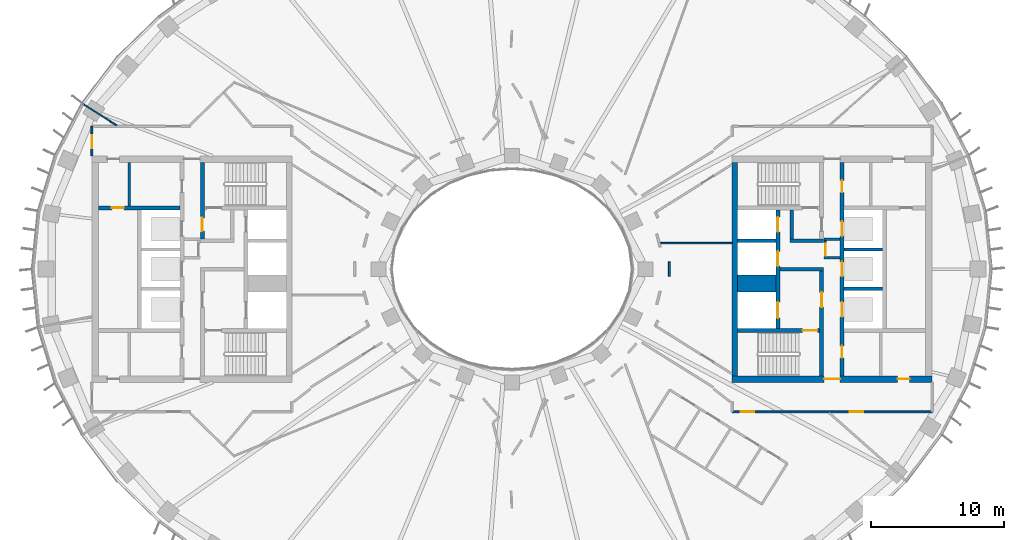
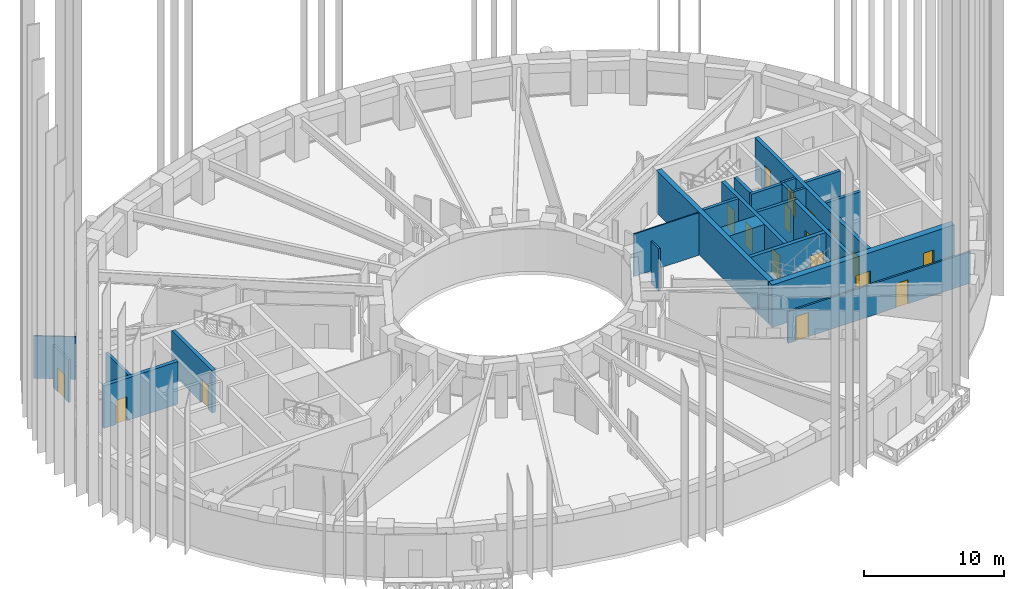
# One storey, part 5 of 19: 24 walls, 18 doors, 18 openings.
"""IFC4 building model written with IfcOpenShell, lengths in metres."""

from ifc_helpers import new_model, si_unit, direction, frame, frame_2d, origin, place, context, subcontext, project, spatial, rectangle, extrude, material, layer, layer_set, type_object, element, fill, save


model = new_model("IFC4")

# Units and contexts
model_context = context("Model", 3, precision=1e-05, world=origin(), true_north=direction((0.0, 1.0)))
body_context = subcontext(model_context, "Body", "Model", "MODEL_VIEW")
ifc_project = project(units=[si_unit("LENGTHUNIT", "METRE"), si_unit("AREAUNIT", "SQUARE_METRE"), si_unit("VOLUMEUNIT", "CUBIC_METRE"), si_unit("PLANEANGLEUNIT", "RADIAN"), si_unit("MASSUNIT", "GRAM", prefix="KILO")], contexts=[model_context])

# Site, building, storey
site_placement = place(None, origin())
site = spatial("IfcSite", under=ifc_project, at=site_placement, CompositionType="ELEMENT")
building_placement = place(site_placement, origin())
building = spatial("IfcBuilding", under=site, at=building_placement, Name="Noorbagh Ring Tower", CompositionType="ELEMENT")
storey_placement = place(building_placement, frame((0.0, 0.0, 146.0)))
storey = spatial("IfcBuildingStorey", under=building, at=storey_placement, Name="L33", CompositionType="ELEMENT", Elevation=146.0)

# Walls
ifc_material_1 = material(Name="Gypsum board on steel studs", Category="steel")
ifc_layer_1 = layer(ifc_material_1, 0.199951171875)
ifc_layer_set_1 = layer_set([ifc_layer_1], Name="Gypsum board on steel studs")
wall_type_1 = type_object("IfcWallType", Name="CORE-PARTITION-200", PredefinedType="PARTITIONING", material=ifc_layer_set_1)
wall_1_placement = place(storey_placement, frame((-28.699951171875, 4.75, 0.0), z_axis=(0.0, 0.0, 1.0), x_axis=(0.0, 1.0, 0.0)))
element("IfcWall", 1, at=wall_1_placement, inside=storey, type_object=wall_type_1, Name="Core partition W", PredefinedType="PARTITIONING", context=body_context, shape_type="SweptSolid", body=[
    extrude(rectangle(XDim=3.25, YDim=0.199951171875, at=frame_2d((1.625, 0.0))), origin(), (0.0, 0.0, 1.0), 3.699951171875),
])
for number, where, z_axis, x_axis, name in (
    (2, (23.39990234375, 0.85009765625, 0.0), (0.0, 0.0, 1.0), (1.0, 0.0, 0.0), "Core partition E"),
    (3, (23.39990234375, 2.25, 0.0), (0.0, 0.0, 1.0), (1.0, 0.0, 0.0), "Core partition E"),
):
    element("IfcWall", number, at=place(storey_placement, frame(where, z_axis=z_axis, x_axis=x_axis)), inside=storey, type_object=wall_type_1, Name=name, PredefinedType="PARTITIONING", context=body_context, shape_type="SweptSolid", body=[
        extrude(rectangle(XDim=1.2001953125, YDim=0.199951171875, at=frame_2d((0.60009765625, 0.0))), origin(), (0.0, 0.0, 1.0), 3.699951171875),
    ])

# Wall, opening, door
wall_2_placement = place(storey_placement, frame((23.5, 0.75, 0.0), z_axis=(0.0, 0.0, 1.0), x_axis=(0.0, 1.0, 0.0)))
wall_2 = element("IfcWall", 4, at=wall_2_placement, inside=storey, type_object=wall_type_1, Name="Core partition E", PredefinedType="PARTITIONING", context=body_context, shape_type="SweptSolid", body=[
    extrude(rectangle(XDim=1.60009765625, YDim=0.199951171875, at=frame_2d((0.800048828125, 0.0))), origin(), (0.0, 0.0, 1.0), 3.699951171875),
])
opening_1_placement = place(wall_2_placement, frame((0.25, 0.0, 0.0)))
opening_1 = element("IfcOpeningElement", 5, at=opening_1_placement, cuts=wall_2, Name="Opening L33-CE17", PredefinedType="OPENING", context=body_context, shape_type="SweptSolid", body=[
    extrude(rectangle(XDim=0.89990234375, YDim=2.10009765625, at=frame_2d((0.449951171875, 1.050048828125))), frame((0.0, 0.10986328125, 0.0), z_axis=(0.0, -1.0, 0.0), x_axis=(1.0, 0.0, 0.0)), (0.0, 0.0, 1.0), 0.219970703125),
])
ifc_material_2 = material(Name="Steel door leaf", Category="steel")
door_type_1 = type_object("IfcDoorType", Name="CORE-DOOR-DROOM", OperationType="SINGLE_SWING_LEFT", PredefinedType="DOOR", material=ifc_material_2)
door_1_placement = place(opening_1_placement, origin())
door_1 = element("IfcDoor", 6, at=door_1_placement, inside=storey, type_object=door_type_1, Name="Core room door L33-CE17", OperationType="SINGLE_SWING_LEFT", OverallHeight=2.10009765625, OverallWidth=0.89990234375, PredefinedType="DOOR", context=body_context, shape_type="SweptSolid", body=[
    extrude(rectangle(XDim=0.89990234375, YDim=2.10009765625, at=frame_2d((0.449951171875, 1.050048828125))), frame((0.0, 0.02490234375, 0.0), z_axis=(0.0, -1.0, 0.0), x_axis=(1.0, 0.0, 0.0)), (0.0, 0.0, 1.0), 0.050048828125),
])
fill(opening_1, door_1)

# Walls
ifc_material_3 = material(Name="Concrete C60/75", Category="concrete")
ifc_layer_2 = layer(ifc_material_3, 1.25)
ifc_layer_set_2 = layer_set([ifc_layer_2], Name="Concrete C60/75")
wall_type_2 = type_object("IfcWallType", Name="CORE-WALL-1250-C60-75-EI120", PredefinedType="SHEAR", material=ifc_layer_set_2)
wall_3_placement = place(storey_placement, frame((16.89990234375, -1.074951171875, 0.0), z_axis=(0.0, 0.0, 1.0), x_axis=(1.0, 0.0, 0.0)))
element("IfcWall", 7, at=wall_3_placement, inside=storey, type_object=wall_type_2, Name="Core wall E", PredefinedType="SHEAR", context=body_context, shape_type="SweptSolid", body=[
    extrude(rectangle(XDim=2.900146484375, YDim=1.25, at=frame_2d((1.4501953125, 0.0))), origin(), (0.0, 0.0, 1.0), 3.699951171875),
])
ifc_material_4 = material(Name="Concrete C60/75", Category="concrete")
ifc_layer_3 = layer(ifc_material_4, 0.25)
ifc_layer_set_3 = layer_set([ifc_layer_3], Name="Concrete C60/75")
wall_type_3 = type_object("IfcWallType", Name="CORE-WALL-250-C60-75-EI120", PredefinedType="SHEAR", material=ifc_layer_set_3)
for number, where, z_axis, x_axis, name in (
    (8, (16.89990234375, 2.125, 0.0), (0.0, 0.0, 1.0), (1.0, 0.0, 0.0), "Core wall E"),
    (9, (24.89990234375, -1.47509765625, 0.0), (0.0, 0.0, 1.0), (1.0, 0.0, 0.0), "Core wall E"),
    (10, (24.89990234375, 1.47509765625, 0.0), (0.0, 0.0, 1.0), (1.0, 0.0, 0.0), "Core wall E"),
):
    element("IfcWall", number, at=place(storey_placement, frame(where, z_axis=z_axis, x_axis=x_axis)), inside=storey, type_object=wall_type_3, Name=name, PredefinedType="SHEAR", context=body_context, shape_type="SweptSolid", body=[
        extrude(rectangle(XDim=2.900146484375, YDim=0.25, at=frame_2d((1.4501953125, 0.0))), origin(), (0.0, 0.0, 1.0), 3.699951171875),
    ])
ifc_material_5 = material(Name="Concrete C60/75", Category="concrete")
ifc_layer_4 = layer(ifc_material_5, 0.25)
ifc_layer_set_4 = layer_set([ifc_layer_4], Name="Concrete C60/75")
wall_type_4 = type_object("IfcWallType", Name="CORE-WALL-250-C60-75-EI240", PredefinedType="SHEAR", material=ifc_layer_set_4)
wall_4_placement = place(storey_placement, frame((20.10009765625, 0.0, 0.0), z_axis=(0.0, 0.0, 1.0), x_axis=(1.0, 0.0, 0.0)))
element("IfcWall", 11, at=wall_4_placement, inside=storey, type_object=wall_type_4, Name="Core wall E", PredefinedType="SHEAR", context=body_context, shape_type="SweptSolid", body=[
    extrude(rectangle(XDim=3.27978515625, YDim=0.25, at=frame_2d((1.639892578125, 0.0))), origin(), (0.0, 0.0, 1.0), 3.699951171875),
])
wall_5_placement = place(storey_placement, frame((20.85009765625, 2.125, 0.0), z_axis=(0.0, 0.0, 1.0), x_axis=(1.0, 0.0, 0.0)))
element("IfcWall", 12, at=wall_5_placement, inside=storey, type_object=wall_type_4, Name="Core wall E", PredefinedType="SHEAR", context=body_context, shape_type="SweptSolid", body=[
    extrude(rectangle(XDim=2.52978515625, YDim=0.25, at=frame_2d((1.264892578125, 0.0))), origin(), (0.0, 0.0, 1.0), 3.699951171875),
])
wall_6_placement = place(storey_placement, frame((20.97509765625, 2.25, 0.0), z_axis=(0.0, 0.0, 1.0), x_axis=(0.0, 1.0, 0.0)))
element("IfcWall", 13, at=wall_6_placement, inside=storey, type_object=wall_type_4, Name="Core wall E", PredefinedType="SHEAR", context=body_context, shape_type="SweptSolid", body=[
    extrude(rectangle(XDim=2.199951171875, YDim=0.25, at=frame_2d((1.10009765625, 0.0))), origin(), (0.0, 0.0, 1.0), 3.699951171875),
])

# Wall, openings, doors
ifc_material_6 = material(Name="Concrete C60/75", Category="concrete")
ifc_layer_5 = layer(ifc_material_6, 0.300048828125)
ifc_layer_set_5 = layer_set([ifc_layer_5], Name="Concrete C60/75")
wall_type_5 = type_object("IfcWallType", Name="CORE-WALL-300-C60-75-EI120", PredefinedType="SHEAR", material=ifc_layer_set_5)
wall_7_placement = place(storey_placement, frame((19.949951171875, -4.449951171875, 0.0), z_axis=(0.0, 0.0, 1.0), x_axis=(0.0, 1.0, 0.0)))
wall_7 = element("IfcWall", 14, at=wall_7_placement, inside=storey, type_object=wall_type_5, Name="Core wall E", PredefinedType="SHEAR", context=body_context, shape_type="SweptSolid", body=[
    extrude(rectangle(XDim=8.89990234375, YDim=0.300048828125, at=frame_2d((4.449951171875, 0.0))), origin(), (0.0, 0.0, 1.0), 3.699951171875),
])
opening_2_placement = place(wall_7_placement, frame((0.77490234375, 0.0, 0.0)))
opening_2 = element("IfcOpeningElement", 15, at=opening_2_placement, cuts=wall_7, Name="Opening L33-CE01", PredefinedType="OPENING", context=body_context, shape_type="SweptSolid", body=[
    extrude(rectangle(XDim=1.199951171875, YDim=2.10009765625, at=frame_2d((0.60009765625, 1.050048828125))), frame((0.0, 0.16015625, 0.0), z_axis=(0.0, -1.0, 0.0), x_axis=(1.0, 0.0, 0.0)), (0.0, 0.0, 1.0), 0.320068359375),
])
opening_3_placement = place(wall_7_placement, frame((4.675048828125, 0.0, 0.0)))
opening_3 = element("IfcOpeningElement", 16, at=opening_3_placement, cuts=wall_7, Name="Opening L33-CE02", PredefinedType="OPENING", context=body_context, shape_type="SweptSolid", body=[
    extrude(rectangle(XDim=1.10009765625, YDim=2.10009765625, at=frame_2d((0.550048828125, 1.050048828125))), frame((0.0, 0.16015625, 0.0), z_axis=(0.0, -1.0, 0.0), x_axis=(1.0, 0.0, 0.0)), (0.0, 0.0, 1.0), 0.320068359375),
])
opening_4_placement = place(wall_7_placement, frame((7.25, 0.0, 0.0)))
opening_4 = element("IfcOpeningElement", 17, at=opening_4_placement, cuts=wall_7, Name="Opening L33-CE03", PredefinedType="OPENING", context=body_context, shape_type="SweptSolid", body=[
    extrude(rectangle(XDim=1.10009765625, YDim=2.10009765625, at=frame_2d((0.550048828125, 1.050048828125))), frame((0.0, 0.16015625, 0.0), z_axis=(0.0, -1.0, 0.0), x_axis=(1.0, 0.0, 0.0)), (0.0, 0.0, 1.0), 0.320068359375),
])
ifc_material_7 = material(Name="Steel door leaf", Category="steel")
door_type_2 = type_object("IfcDoorType", Name="CORE-DOOR-LD", OperationType="DOUBLE_DOOR_SLIDING", PredefinedType="DOOR", material=ifc_material_7)
door_2_placement = place(opening_3_placement, origin())
door_2 = element("IfcDoor", 18, at=door_2_placement, inside=storey, type_object=door_type_2, Name="Landing door HR7 L33-CE02", OperationType="DOUBLE_DOOR_SLIDING", OverallHeight=2.10009765625, OverallWidth=1.10009765625, PredefinedType="DOOR", context=body_context, shape_type="SweptSolid", body=[
    extrude(rectangle(XDim=1.10009765625, YDim=2.10009765625, at=frame_2d((0.550048828125, 1.050048828125))), frame((0.0, 0.02490234375, 0.0), z_axis=(0.0, -1.0, 0.0), x_axis=(1.0, 0.0, 0.0)), (0.0, 0.0, 1.0), 0.050048828125),
])
fill(opening_3, door_2)
door_3_placement = place(opening_4_placement, origin())
door_3 = element("IfcDoor", 19, at=door_3_placement, inside=storey, type_object=door_type_2, Name="Landing door HR8 L33-CE03", OperationType="DOUBLE_DOOR_SLIDING", OverallHeight=2.10009765625, OverallWidth=1.10009765625, PredefinedType="DOOR", context=body_context, shape_type="SweptSolid", body=[
    extrude(rectangle(XDim=1.10009765625, YDim=2.10009765625, at=frame_2d((0.550048828125, 1.050048828125))), frame((0.0, 0.02490234375, 0.0), z_axis=(0.0, -1.0, 0.0), x_axis=(1.0, 0.0, 0.0)), (0.0, 0.0, 1.0), 0.050048828125),
])
fill(opening_4, door_3)
ifc_material_8 = material(Name="Steel door leaf", Category="steel")
door_type_3 = type_object("IfcDoorType", Name="CORE-DOOR-LDW", OperationType="DOUBLE_DOOR_SLIDING", PredefinedType="DOOR", material=ifc_material_8)
door_4_placement = place(opening_2_placement, origin())
door_4 = element("IfcDoor", 20, at=door_4_placement, inside=storey, type_object=door_type_3, Name="Landing door FF2 L33-CE01", OperationType="DOUBLE_DOOR_SLIDING", OverallHeight=2.10009765625, OverallWidth=1.199951171875, PredefinedType="DOOR", context=body_context, shape_type="SweptSolid", body=[
    extrude(rectangle(XDim=1.199951171875, YDim=2.10009765625, at=frame_2d((0.60009765625, 1.050048828125))), frame((0.0, 0.02490234375, 0.0), z_axis=(0.0, -1.0, 0.0), x_axis=(1.0, 0.0, 0.0)), (0.0, 0.0, 1.0), 0.050048828125),
])
fill(opening_2, door_4)

wall_8_placement = place(storey_placement, frame((24.75, -8.0, 0.0), z_axis=(0.0, 0.0, 1.0), x_axis=(0.0, 1.0, 0.0)))
wall_8 = element("IfcWall", 21, at=wall_8_placement, inside=storey, type_object=wall_type_5, Name="Core wall E", PredefinedType="SHEAR", context=body_context, shape_type="SweptSolid", body=[
    extrude(rectangle(XDim=16.0, YDim=0.300048828125, at=frame_2d((8.0, 0.0))), origin(), (0.0, 0.0, 1.0), 3.699951171875),
])
opening_5_placement = place(wall_8_placement, frame((4.425048828125, 0.0, 0.0)))
opening_5 = element("IfcOpeningElement", 22, at=opening_5_placement, cuts=wall_8, Name="Opening L33-CE04", PredefinedType="OPENING", context=body_context, shape_type="SweptSolid", body=[
    extrude(rectangle(XDim=1.10009765625, YDim=2.10009765625, at=frame_2d((0.550048828125, 1.050048828125))), frame((0.0, 0.16015625, 0.0), z_axis=(0.0, -1.0, 0.0), x_axis=(1.0, 0.0, 0.0)), (0.0, 0.0, 1.0), 0.320068359375),
])
opening_6_placement = place(wall_8_placement, frame((7.449951171875, 0.0, 0.0)))
opening_6 = element("IfcOpeningElement", 23, at=opening_6_placement, cuts=wall_8, Name="Opening L33-CE05", PredefinedType="OPENING", context=body_context, shape_type="SweptSolid", body=[
    extrude(rectangle(XDim=1.10009765625, YDim=2.10009765625, at=frame_2d((0.550048828125, 1.050048828125))), frame((0.0, 0.16015625, 0.0), z_axis=(0.0, -1.0, 0.0), x_axis=(1.0, 0.0, 0.0)), (0.0, 0.0, 1.0), 0.320068359375),
])
opening_7_placement = place(wall_8_placement, frame((10.47509765625, 0.0, 0.0)))
opening_7 = element("IfcOpeningElement", 24, at=opening_7_placement, cuts=wall_8, Name="Opening L33-CE06", PredefinedType="OPENING", context=body_context, shape_type="SweptSolid", body=[
    extrude(rectangle(XDim=1.10009765625, YDim=2.10009765625, at=frame_2d((0.550048828125, 1.050048828125))), frame((0.0, 0.16015625, 0.0), z_axis=(0.0, -1.0, 0.0), x_axis=(1.0, 0.0, 0.0)), (0.0, 0.0, 1.0), 0.320068359375),
])
opening_8_placement = place(wall_8_placement, frame((13.75, 0.0, 0.0)))
opening_8 = element("IfcOpeningElement", 25, at=opening_8_placement, cuts=wall_8, Name="Opening L33-CE13", PredefinedType="OPENING", context=body_context, shape_type="SweptSolid", body=[
    extrude(rectangle(XDim=0.89990234375, YDim=2.10009765625, at=frame_2d((0.449951171875, 1.050048828125))), frame((0.0, 0.16015625, 0.0), z_axis=(0.0, -1.0, 0.0), x_axis=(1.0, 0.0, 0.0)), (0.0, 0.0, 1.0), 0.320068359375),
])
opening_9_placement = place(wall_8_placement, frame((1.35009765625, 0.0, 0.0)))
opening_9 = element("IfcOpeningElement", 26, at=opening_9_placement, cuts=wall_8, Name="Opening L33-CE15", PredefinedType="OPENING", context=body_context, shape_type="SweptSolid", body=[
    extrude(rectangle(XDim=0.89990234375, YDim=2.10009765625, at=frame_2d((0.449951171875, 1.050048828125))), frame((0.0, 0.16015625, 0.0), z_axis=(0.0, -1.0, 0.0), x_axis=(1.0, 0.0, 0.0)), (0.0, 0.0, 1.0), 0.320068359375),
])
door_5_placement = place(opening_8_placement, origin())
door_5 = element("IfcDoor", 27, at=door_5_placement, inside=storey, type_object=door_type_1, Name="Core room door L33-CE13", OperationType="SINGLE_SWING_LEFT", OverallHeight=2.10009765625, OverallWidth=0.89990234375, PredefinedType="DOOR", context=body_context, shape_type="SweptSolid", body=[
    extrude(rectangle(XDim=0.89990234375, YDim=2.10009765625, at=frame_2d((0.449951171875, 1.050048828125))), frame((0.0, 0.02490234375, 0.0), z_axis=(0.0, -1.0, 0.0), x_axis=(1.0, 0.0, 0.0)), (0.0, 0.0, 1.0), 0.050048828125),
])
fill(opening_8, door_5)
door_6_placement = place(opening_9_placement, origin())
door_6 = element("IfcDoor", 28, at=door_6_placement, inside=storey, type_object=door_type_1, Name="Core room door L33-CE15", OperationType="SINGLE_SWING_RIGHT", OverallHeight=2.10009765625, OverallWidth=0.89990234375, PredefinedType="DOOR", context=body_context, shape_type="SweptSolid", body=[
    extrude(rectangle(XDim=0.89990234375, YDim=2.10009765625, at=frame_2d((0.449951171875, 1.050048828125))), frame((0.0, 0.02490234375, 0.0), z_axis=(0.0, -1.0, 0.0), x_axis=(1.0, 0.0, 0.0)), (0.0, 0.0, 1.0), 0.050048828125),
])
fill(opening_9, door_6)
door_7_placement = place(opening_5_placement, origin())
door_7 = element("IfcDoor", 29, at=door_7_placement, inside=storey, type_object=door_type_2, Name="Landing door HR9 L33-CE04", OperationType="DOUBLE_DOOR_SLIDING", OverallHeight=2.10009765625, OverallWidth=1.10009765625, PredefinedType="DOOR", context=body_context, shape_type="SweptSolid", body=[
    extrude(rectangle(XDim=1.10009765625, YDim=2.10009765625, at=frame_2d((0.550048828125, 1.050048828125))), frame((0.0, 0.02490234375, 0.0), z_axis=(0.0, -1.0, 0.0), x_axis=(1.0, 0.0, 0.0)), (0.0, 0.0, 1.0), 0.050048828125),
])
fill(opening_5, door_7)
door_8_placement = place(opening_6_placement, origin())
door_8 = element("IfcDoor", 30, at=door_8_placement, inside=storey, type_object=door_type_2, Name="Landing door HR10 L33-CE05", OperationType="DOUBLE_DOOR_SLIDING", OverallHeight=2.10009765625, OverallWidth=1.10009765625, PredefinedType="DOOR", context=body_context, shape_type="SweptSolid", body=[
    extrude(rectangle(XDim=1.10009765625, YDim=2.10009765625, at=frame_2d((0.550048828125, 1.050048828125))), frame((0.0, 0.02490234375, 0.0), z_axis=(0.0, -1.0, 0.0), x_axis=(1.0, 0.0, 0.0)), (0.0, 0.0, 1.0), 0.050048828125),
])
fill(opening_6, door_8)
door_9_placement = place(opening_7_placement, origin())
door_9 = element("IfcDoor", 31, at=door_9_placement, inside=storey, type_object=door_type_2, Name="Landing door HR11 L33-CE06", OperationType="DOUBLE_DOOR_SLIDING", OverallHeight=2.10009765625, OverallWidth=1.10009765625, PredefinedType="DOOR", context=body_context, shape_type="SweptSolid", body=[
    extrude(rectangle(XDim=1.10009765625, YDim=2.10009765625, at=frame_2d((0.550048828125, 1.050048828125))), frame((0.0, 0.02490234375, 0.0), z_axis=(0.0, -1.0, 0.0), x_axis=(1.0, 0.0, 0.0)), (0.0, 0.0, 1.0), 0.050048828125),
])
fill(opening_7, door_9)

# Wall, opening, door
ifc_material_9 = material(Name="Concrete C60/75", Category="concrete")
ifc_layer_6 = layer(ifc_material_9, 0.300048828125)
ifc_layer_set_6 = layer_set([ifc_layer_6], Name="Concrete C60/75")
wall_type_6 = type_object("IfcWallType", Name="CORE-WALL-300-C60-75-EI240", PredefinedType="SHEAR", material=ifc_layer_set_6)
wall_9_placement = place(storey_placement, frame((-24.89990234375, 4.60009765625, 0.0), z_axis=(0.0, 0.0, 1.0), x_axis=(-1.0, 0.0, 0.0)))
wall_9 = element("IfcWall", 32, at=wall_9_placement, inside=storey, type_object=wall_type_6, Name="Core wall W", PredefinedType="SHEAR", context=body_context, shape_type="SweptSolid", body=[
    extrude(rectangle(XDim=6.10009765625, YDim=0.300048828125, at=frame_2d((3.050048828125, 0.0))), origin(), (0.0, 0.0, 1.0), 3.699951171875),
])
opening_10_placement = place(wall_9_placement, frame((4.199951171875, 0.0, 0.0)))
opening_10 = element("IfcOpeningElement", 33, at=opening_10_placement, cuts=wall_9, Name="Opening L33-CW17", PredefinedType="OPENING", context=body_context, shape_type="SweptSolid", body=[
    extrude(rectangle(XDim=0.89990234375, YDim=2.10009765625, at=frame_2d((0.449951171875, 1.050048828125))), frame((0.0, 0.16015625, 0.0), z_axis=(0.0, -1.0, 0.0), x_axis=(1.0, 0.0, 0.0)), (0.0, 0.0, 1.0), 0.320068359375),
])
door_10_placement = place(opening_10_placement, origin())
door_10 = element("IfcDoor", 34, at=door_10_placement, inside=storey, type_object=door_type_1, Name="Core room door L33-CW17", OperationType="SINGLE_SWING_LEFT", OverallHeight=2.10009765625, OverallWidth=0.89990234375, PredefinedType="DOOR", context=body_context, shape_type="SweptSolid", body=[
    extrude(rectangle(XDim=0.89990234375, YDim=2.10009765625, at=frame_2d((0.449951171875, 1.050048828125))), frame((0.0, 0.02490234375, 0.0), z_axis=(0.0, -1.0, 0.0), x_axis=(1.0, 0.0, 0.0)), (0.0, 0.0, 1.0), 0.050048828125),
])
fill(opening_10, door_10)

wall_10_placement = place(storey_placement, frame((-23.22998046875, 2.25, 0.0), z_axis=(0.0, 0.0, 1.0), x_axis=(0.0, 1.0, 0.0)))
wall_10 = element("IfcWall", 35, at=wall_10_placement, inside=storey, type_object=wall_type_6, Name="Core wall W", PredefinedType="SHEAR", context=body_context, shape_type="SweptSolid", body=[
    extrude(rectangle(XDim=5.75, YDim=0.300048828125, at=frame_2d((2.875, 0.0))), origin(), (0.0, 0.0, 1.0), 3.699951171875),
])
opening_11_placement = place(wall_10_placement, frame((0.60009765625, 0.0, 0.0)))
opening_11 = element("IfcOpeningElement", 36, at=opening_11_placement, cuts=wall_10, Name="Opening L33-CW09", PredefinedType="OPENING", context=body_context, shape_type="SweptSolid", body=[
    extrude(rectangle(XDim=1.0, YDim=2.10009765625, at=frame_2d((0.5, 1.050048828125))), frame((0.0, 0.16015625, 0.0), z_axis=(0.0, -1.0, 0.0), x_axis=(1.0, 0.0, 0.0)), (0.0, 0.0, 1.0), 0.320068359375),
])
ifc_material_10 = material(Name="Steel door leaf", Category="steel")
door_type_4 = type_object("IfcDoorType", Name="CORE-DOOR-DVEST", OperationType="SINGLE_SWING_LEFT", PredefinedType="DOOR", material=ifc_material_10)
door_11_placement = place(opening_11_placement, origin())
door_11 = element("IfcDoor", 37, at=door_11_placement, inside=storey, type_object=door_type_4, Name="Stair vestibule door L33-CW09", OperationType="SINGLE_SWING_LEFT", OverallHeight=2.10009765625, OverallWidth=1.0, PredefinedType="DOOR", context=body_context, shape_type="SweptSolid", body=[
    extrude(rectangle(XDim=1.0, YDim=2.10009765625, at=frame_2d((0.5, 1.050048828125))), frame((0.0, 0.02490234375, 0.0), z_axis=(0.0, -1.0, 0.0), x_axis=(1.0, 0.0, 0.0)), (0.0, 0.0, 1.0), 0.050048828125),
])
fill(opening_11, door_11)

wall_11_placement = place(storey_placement, frame((23.22998046875, -8.0, 0.0), z_axis=(0.0, 0.0, 1.0), x_axis=(0.0, 1.0, 0.0)))
wall_11 = element("IfcWall", 38, at=wall_11_placement, inside=storey, type_object=wall_type_6, Name="Core wall E", PredefinedType="SHEAR", context=body_context, shape_type="SweptSolid", body=[
    extrude(rectangle(XDim=7.875, YDim=0.300048828125, at=frame_2d((3.9375, 0.0))), origin(), (0.0, 0.0, 1.0), 3.699951171875),
])
opening_12_placement = place(wall_11_placement, frame((5.14990234375, 0.0, 0.0)))
opening_12 = element("IfcOpeningElement", 39, at=opening_12_placement, cuts=wall_11, Name="Opening L33-CE09", PredefinedType="OPENING", context=body_context, shape_type="SweptSolid", body=[
    extrude(rectangle(XDim=1.10009765625, YDim=2.10009765625, at=frame_2d((0.550048828125, 1.050048828125))), frame((0.0, 0.16015625, 0.0), z_axis=(0.0, -1.0, 0.0), x_axis=(1.0, 0.0, 0.0)), (0.0, 0.0, 1.0), 0.320068359375),
])
ifc_material_11 = material(Name="Steel door leaf", Category="steel")
door_type_5 = type_object("IfcDoorType", Name="CORE-DOOR-DFF", OperationType="SINGLE_SWING_LEFT", PredefinedType="DOOR", material=ifc_material_11)
door_12_placement = place(opening_12_placement, origin())
door_12 = element("IfcDoor", 40, at=door_12_placement, inside=storey, type_object=door_type_5, Name="Firefighting lobby door L33-CE09", OperationType="SINGLE_SWING_RIGHT", OverallHeight=2.10009765625, OverallWidth=1.10009765625, PredefinedType="DOOR", context=body_context, shape_type="SweptSolid", body=[
    extrude(rectangle(XDim=1.10009765625, YDim=2.10009765625, at=frame_2d((0.550048828125, 1.050048828125))), frame((0.0, 0.02490234375, 0.0), z_axis=(0.0, -1.0, 0.0), x_axis=(1.0, 0.0, 0.0)), (0.0, 0.0, 1.0), 0.050048828125),
])
fill(opening_12, door_12)

wall_12_placement = place(storey_placement, frame((16.89990234375, -4.60009765625, 0.0), z_axis=(0.0, 0.0, 1.0), x_axis=(1.0, 0.0, 0.0)))
wall_12 = element("IfcWall", 41, at=wall_12_placement, inside=storey, type_object=wall_type_6, Name="Core wall E", PredefinedType="SHEAR", context=body_context, shape_type="SweptSolid", body=[
    extrude(rectangle(XDim=6.18017578125, YDim=0.300048828125, at=frame_2d((3.090087890625, 0.0))), origin(), (0.0, 0.0, 1.0), 3.699951171875),
])
opening_13_placement = place(wall_12_placement, frame((4.89990234375, 0.0, 0.0)))
opening_13 = element("IfcOpeningElement", 42, at=opening_13_placement, cuts=wall_12, Name="Opening L33-CE08", PredefinedType="OPENING", context=body_context, shape_type="SweptSolid", body=[
    extrude(rectangle(XDim=1.10009765625, YDim=2.10009765625, at=frame_2d((0.550048828125, 1.050048828125))), frame((0.0, 0.16015625, 0.0), z_axis=(0.0, -1.0, 0.0), x_axis=(1.0, 0.0, 0.0)), (0.0, 0.0, 1.0), 0.320068359375),
])
ifc_material_12 = material(Name="Steel door leaf", Category="steel")
door_type_6 = type_object("IfcDoorType", Name="CORE-DOOR-DSTAIR", OperationType="SINGLE_SWING_LEFT", PredefinedType="DOOR", material=ifc_material_12)
door_13_placement = place(opening_13_placement, origin())
door_13 = element("IfcDoor", 43, at=door_13_placement, inside=storey, type_object=door_type_6, Name="Stair door ST4 L33-CE08", OperationType="SINGLE_SWING_RIGHT", OverallHeight=2.10009765625, OverallWidth=1.10009765625, PredefinedType="DOOR", context=body_context, shape_type="SweptSolid", body=[
    extrude(rectangle(XDim=1.10009765625, YDim=2.10009765625, at=frame_2d((0.550048828125, 1.050048828125))), frame((0.0, 0.02490234375, 0.0), z_axis=(0.0, -1.0, 0.0), x_axis=(1.0, 0.0, 0.0)), (0.0, 0.0, 1.0), 0.050048828125),
])
fill(opening_13, door_13)

# Wall
ifc_material_13 = material(Name="Concrete C60/75", Category="concrete")
ifc_layer_7 = layer(ifc_material_13, 0.39990234375)
ifc_layer_set_7 = layer_set([ifc_layer_7], Name="Concrete C60/75")
wall_type_7 = type_object("IfcWallType", Name="CORE-WALL-400-C60-75-EI240", PredefinedType="SHEAR", material=ifc_layer_set_7)
wall_13_placement = place(storey_placement, frame((16.699951171875, -8.0, 0.0), z_axis=(0.0, 0.0, 1.0), x_axis=(0.0, 1.0, 0.0)))
element("IfcWall", 44, at=wall_13_placement, inside=storey, type_object=wall_type_7, Name="Core wall E", PredefinedType="SHEAR", context=body_context, shape_type="SweptSolid", body=[
    extrude(rectangle(XDim=16.0, YDim=0.39990234375, at=frame_2d((8.0, 0.0))), origin(), (0.0, 0.0, 1.0), 3.699951171875),
])

# Wall, openings, doors
ifc_material_14 = material(Name="Concrete C60/75", Category="concrete")
ifc_layer_8 = layer(ifc_material_14, 0.5)
ifc_layer_set_8 = layer_set([ifc_layer_8], Name="Concrete C60/75")
wall_type_8 = type_object("IfcWallType", Name="CORE-WALL-500-C60-75-EI240", PredefinedType="SHEAR", material=ifc_layer_set_8)
wall_14_placement = place(storey_placement, frame((16.5, -8.25, 0.0), z_axis=(0.0, 0.0, 1.0), x_axis=(1.0, 0.0, 0.0)))
wall_14 = element("IfcWall", 45, at=wall_14_placement, inside=storey, type_object=wall_type_8, Name="Core wall E", PredefinedType="SHEAR", context=body_context, shape_type="SweptSolid", body=[
    extrude(rectangle(XDim=15.0, YDim=0.5, at=frame_2d((7.5, 0.0))), origin(), (0.0, 0.0, 1.0), 3.699951171875),
])
opening_14_placement = place(wall_14_placement, frame((6.89990234375, 0.0, 0.0)))
opening_14 = element("IfcOpeningElement", 46, at=opening_14_placement, cuts=wall_14, Name="Opening L33-CE12", PredefinedType="OPENING", context=body_context, shape_type="SweptSolid", body=[
    extrude(rectangle(XDim=1.199951171875, YDim=2.10009765625, at=frame_2d((0.60009765625, 1.050048828125))), frame((0.0, 0.260009765625, 0.0), z_axis=(0.0, -1.0, 0.0), x_axis=(1.0, 0.0, 0.0)), (0.0, 0.0, 1.0), 0.52001953125),
])
opening_15_placement = place(wall_14_placement, frame((12.425048828125, 0.0, 0.0)))
opening_15 = element("IfcOpeningElement", 47, at=opening_15_placement, cuts=wall_14, Name="Opening L33-CE16", PredefinedType="OPENING", context=body_context, shape_type="SweptSolid", body=[
    extrude(rectangle(XDim=0.89990234375, YDim=2.10009765625, at=frame_2d((0.449951171875, 1.050048828125))), frame((0.0, 0.260009765625, 0.0), z_axis=(0.0, -1.0, 0.0), x_axis=(1.0, 0.0, 0.0)), (0.0, 0.0, 1.0), 0.52001953125),
])
door_14_placement = place(opening_15_placement, origin())
door_14 = element("IfcDoor", 48, at=door_14_placement, inside=storey, type_object=door_type_1, Name="Core room door L33-CE16", OperationType="SINGLE_SWING_RIGHT", OverallHeight=2.10009765625, OverallWidth=0.89990234375, PredefinedType="DOOR", context=body_context, shape_type="SweptSolid", body=[
    extrude(rectangle(XDim=0.89990234375, YDim=2.10009765625, at=frame_2d((0.449951171875, 1.050048828125))), frame((0.0, 0.02490234375, 0.0), z_axis=(0.0, -1.0, 0.0), x_axis=(1.0, 0.0, 0.0)), (0.0, 0.0, 1.0), 0.050048828125),
])
fill(opening_15, door_14)
ifc_material_15 = material(Name="Steel door leaf", Category="steel")
door_type_7 = type_object("IfcDoorType", Name="CORE-DOOR-PORT", OperationType="DOUBLE_DOOR_DOUBLE_SWING", PredefinedType="DOOR", material=ifc_material_15)
door_15_placement = place(opening_14_placement, origin())
door_15 = element("IfcDoor", 49, at=door_15_placement, inside=storey, type_object=door_type_7, Name="Core entrance door L33-CE12", OperationType="DOUBLE_DOOR_DOUBLE_SWING", OverallHeight=2.10009765625, OverallWidth=1.199951171875, PredefinedType="DOOR", context=body_context, shape_type="SweptSolid", body=[
    extrude(rectangle(XDim=1.199951171875, YDim=2.10009765625, at=frame_2d((0.60009765625, 1.050048828125))), frame((0.0, 0.02490234375, 0.0), z_axis=(0.0, -1.0, 0.0), x_axis=(1.0, 0.0, 0.0)), (0.0, 0.0, 1.0), 0.050048828125),
])
fill(opening_14, door_15)

# Wall, opening, door
ifc_material_16 = material(Name="Gypsum board on steel studs", Category="steel")
ifc_layer_9 = layer(ifc_material_16, 0.14990234375)
ifc_layer_set_9 = layer_set([ifc_layer_9], Name="Gypsum board on steel studs")
wall_type_9 = type_object("IfcWallType", Name="CORRIDOR PARTITION 150 EI 30", PredefinedType="PARTITIONING", material=ifc_layer_set_9)
wall_15_placement = place(storey_placement, frame((-31.5, 8.5, 0.0), z_axis=(0.0, 0.0, 1.0), x_axis=(0.0, 1.0, 0.0)))
wall_15 = element("IfcWall", 50, at=wall_15_placement, inside=storey, type_object=wall_type_9, Name="L33/wall/P06", PredefinedType="PARTITIONING", context=body_context, shape_type="SweptSolid", body=[
    extrude(rectangle(XDim=2.199951171875, YDim=0.14990234375, at=frame_2d((1.10009765625, 0.0))), origin(), (0.0, 0.0, 1.0), 3.699951171875),
])
opening_16_placement = place(wall_15_placement, frame((0.550048828125, 0.0, 0.0)))
opening_16 = element("IfcOpeningElement", 51, at=opening_16_placement, cuts=wall_15, Name="Opening D1", PredefinedType="OPENING", context=body_context, shape_type="SweptSolid", body=[
    extrude(rectangle(XDim=1.0, YDim=2.10009765625, at=frame_2d((0.5, 1.050048828125))), frame((0.0, 0.0849609375, 0.0), z_axis=(0.0, -1.0, 0.0), x_axis=(1.0, 0.0, 0.0)), (0.0, 0.0, 1.0), 0.169921875),
])
ifc_material_17 = material(Name="Timber, painted", Category="wood")
door_type_8 = type_object("IfcDoorType", Name="DOOR 1000 X 2100 FD30", OperationType="SINGLE_SWING_LEFT", PredefinedType="DOOR", material=ifc_material_17)
door_16_placement = place(opening_16_placement, origin())
door_16 = element("IfcDoor", 52, at=door_16_placement, inside=storey, type_object=door_type_8, Name="L33-D07", OperationType="SINGLE_SWING_LEFT", OverallHeight=2.10009765625, OverallWidth=1.0, PredefinedType="DOOR", context=body_context, shape_type="SweptSolid", body=[
    extrude(rectangle(XDim=1.0, YDim=2.10009765625, at=frame_2d((0.5, 1.050048828125))), frame((0.0, 0.02490234375, 0.0), z_axis=(0.0, -1.0, 0.0), x_axis=(1.0, 0.0, 0.0)), (0.0, 0.0, 1.0), 0.050048828125),
])
fill(opening_16, door_16)

# Wall
wall_16_placement = place(storey_placement, frame((11.80810546875, -0.550048828125, 0.0), z_axis=(0.0, 0.0, 1.0), x_axis=(0.0, 1.0, 0.0)))
element("IfcWall", 53, at=wall_16_placement, inside=storey, type_object=wall_type_9, Name="L33/wall/P78", PredefinedType="PARTITIONING", context=body_context, shape_type="SweptSolid", body=[
    extrude(rectangle(XDim=1.10009765625, YDim=0.14990234375, at=frame_2d((0.550048828125, 0.0))), origin(), (0.0, 0.0, 1.0), 3.699951171875),
])

# Wall, openings, doors
wall_17_placement = place(storey_placement, frame((16.5, -10.699951171875, 0.0), z_axis=(0.0, 0.0, 1.0), x_axis=(1.0, 0.0, 0.0)))
wall_17 = element("IfcWall", 54, at=wall_17_placement, inside=storey, type_object=wall_type_9, Name="L33/wall/P83", PredefinedType="PARTITIONING", context=body_context, shape_type="SweptSolid", body=[
    extrude(rectangle(XDim=15.0, YDim=0.14990234375, at=frame_2d((7.5, 0.0))), origin(), (0.0, 0.0, 1.0), 2.75),
])
opening_17_placement = place(wall_17_placement, frame((0.64990234375, 0.0, 0.0)))
opening_17 = element("IfcOpeningElement", 55, at=opening_17_placement, cuts=wall_17, Name="Opening D1", PredefinedType="OPENING", context=body_context, shape_type="SweptSolid", body=[
    extrude(rectangle(XDim=1.0, YDim=2.10009765625, at=frame_2d((0.5, 1.050048828125))), frame((0.0, 0.0849609375, 0.0), z_axis=(0.0, -1.0, 0.0), x_axis=(1.0, 0.0, 0.0)), (0.0, 0.0, 1.0), 0.169921875),
])
opening_18_placement = place(wall_17_placement, frame((8.846923828125, 0.0, 0.0)))
opening_18 = element("IfcOpeningElement", 56, at=opening_18_placement, cuts=wall_17, Name="Opening D1", PredefinedType="OPENING", context=body_context, shape_type="SweptSolid", body=[
    extrude(rectangle(XDim=1.0, YDim=2.10009765625, at=frame_2d((0.5, 1.050048828125))), frame((0.0, 0.0849609375, 0.0), z_axis=(0.0, -1.0, 0.0), x_axis=(1.0, 0.0, 0.0)), (0.0, 0.0, 1.0), 0.169921875),
])
door_17_placement = place(opening_17_placement, origin())
door_17 = element("IfcDoor", 57, at=door_17_placement, inside=storey, type_object=door_type_8, Name="L33-D01", OperationType="SINGLE_SWING_LEFT", OverallHeight=2.10009765625, OverallWidth=1.0, PredefinedType="DOOR", context=body_context, shape_type="SweptSolid", body=[
    extrude(rectangle(XDim=1.0, YDim=2.10009765625, at=frame_2d((0.5, 1.050048828125))), frame((0.0, 0.02490234375, 0.0), z_axis=(0.0, -1.0, 0.0), x_axis=(1.0, 0.0, 0.0)), (0.0, 0.0, 1.0), 0.050048828125),
])
fill(opening_17, door_17)
door_18_placement = place(opening_18_placement, origin())
door_18 = element("IfcDoor", 58, at=door_18_placement, inside=storey, type_object=door_type_8, Name="L33-D13", OperationType="SINGLE_SWING_LEFT", OverallHeight=2.10009765625, OverallWidth=1.0, PredefinedType="DOOR", context=body_context, shape_type="SweptSolid", body=[
    extrude(rectangle(XDim=1.0, YDim=2.10009765625, at=frame_2d((0.5, 1.050048828125))), frame((0.0, 0.02490234375, 0.0), z_axis=(0.0, -1.0, 0.0), x_axis=(1.0, 0.0, 0.0)), (0.0, 0.0, 1.0), 0.050048828125),
])
fill(opening_18, door_18)

# Walls
ifc_material_18 = material(Name="Gypsum board on steel studs", Category="steel")
ifc_layer_10 = layer(ifc_material_18, 0.10009765625)
ifc_layer_set_10 = layer_set([ifc_layer_10], Name="Gypsum board on steel studs")
wall_type_10 = type_object("IfcWallType", Name="PARTITION 100 GYPSUM", PredefinedType="PARTITIONING", material=ifc_layer_set_10)
wall_18_placement = place(storey_placement, frame((-32.2119140625, 12.407958984375, 0.0), z_axis=(0.0, 0.0, 1.0), x_axis=(0.844810627195, -0.535065420467, 0.0)))
element("IfcWall", 59, at=wall_18_placement, inside=storey, type_object=wall_type_10, Name="L33/wall/P03", PredefinedType="PARTITIONING", context=body_context, shape_type="SweptSolid", body=[
    extrude(rectangle(XDim=3.0478515625, YDim=0.10009765625, at=frame_2d((1.52392578125, 0.0))), origin(), (0.0, 0.0, 1.0), 3.699951171875),
])
wall_19_placement = place(storey_placement, frame((11.115966796875, 1.951904296875, 0.0), z_axis=(0.0, 0.0, 1.0), x_axis=(1.0, 0.0, 0.0)))
element("IfcWall", 60, at=wall_19_placement, inside=storey, type_object=wall_type_10, Name="L33/wall/P77", PredefinedType="PARTITIONING", context=body_context, shape_type="SweptSolid", body=[
    extrude(rectangle(XDim=5.384033203125, YDim=0.10009765625, at=frame_2d((2.69189453125, 0.0))), origin(), (0.0, 0.0, 1.0), 3.699951171875),
])

save(model, "model.ifc")
